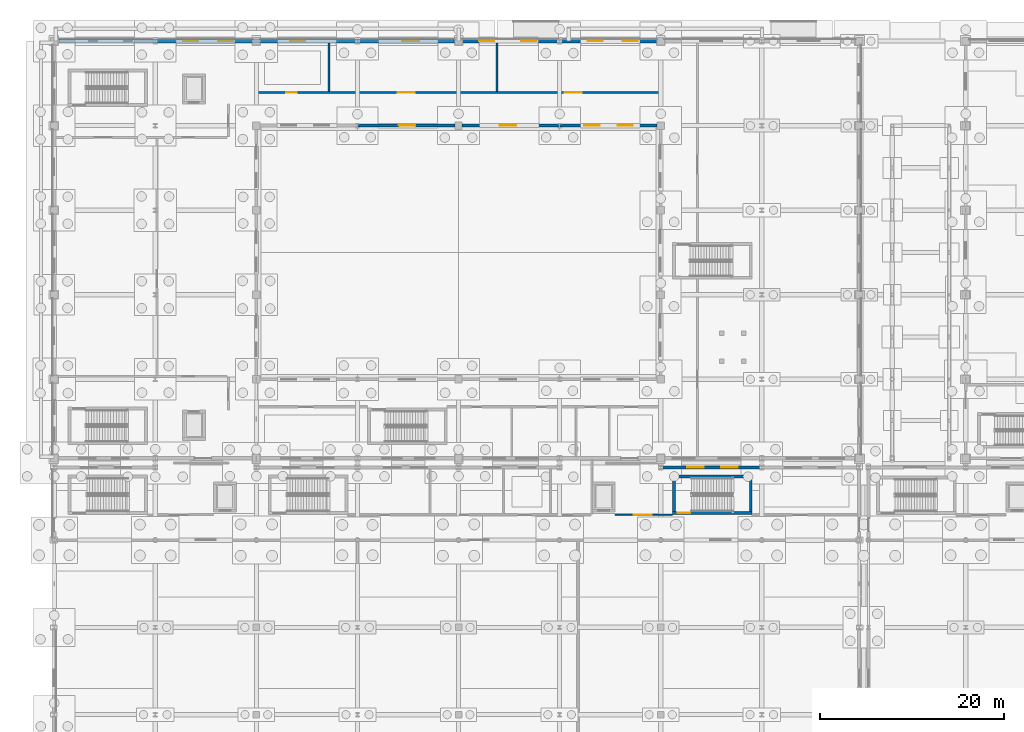
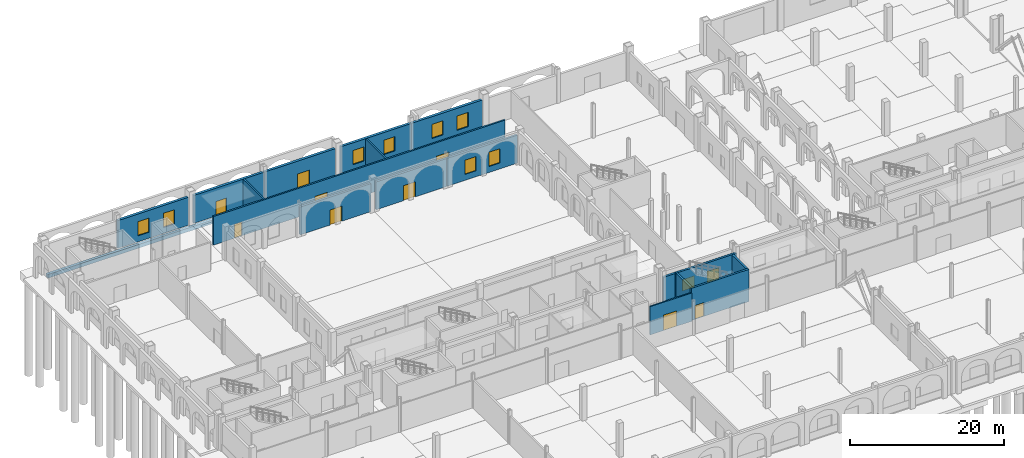
# One storey, part 57 of 83: 18 walls, 10 windows, 9 doors, 19 openings.
"""IFC4 building model written with IfcOpenShell, lengths in metres."""

from ifc_helpers import new_model, si_unit, direction, frame, frame_2d, origin, place, context, subcontext, project, spatial, rectangle, extrude, material, layer, layer_set, type_object, element, fill, save


model = new_model("IFC4")

# Units and contexts
model_context = context("Model", 3, precision=1e-05, world=origin(), true_north=direction((0.0, 1.0)))
body_context = subcontext(model_context, "Body", "Model", "MODEL_VIEW")
ifc_project = project(units=[si_unit("LENGTHUNIT", "METRE"), si_unit("AREAUNIT", "SQUARE_METRE"), si_unit("VOLUMEUNIT", "CUBIC_METRE"), si_unit("PLANEANGLEUNIT", "RADIAN"), si_unit("MASSUNIT", "GRAM", prefix="KILO")], contexts=[model_context])

# Site, building, storey
site_placement = place(None, origin())
site = spatial("IfcSite", under=ifc_project, at=site_placement, CompositionType="ELEMENT")
building_placement = place(site_placement, origin())
building = spatial("IfcBuilding", under=site, at=building_placement, Name="Caurita Quay Ferry Terminal", CompositionType="ELEMENT")
storey_placement = place(building_placement, origin())
storey = spatial("IfcBuildingStorey", under=building, at=storey_placement, Name="L00", CompositionType="ELEMENT", Elevation=0.0)

# Wall, openings, doors
ifc_material_1 = material(Name="Warm-white lime stucco masonry", Category="masonry")
ifc_layer_1 = layer(ifc_material_1, 0.239990234375, Name="Interior partitioning wall 240 mm")
ifc_layer_set_1 = layer_set([ifc_layer_1], Name="Warm-white lime stucco masonry")
wall_type_1 = type_object("IfcWallType", Name="WL-COMP-240", PredefinedType="PARTITIONING", material=ifc_layer_set_1)
wall_1_placement = place(storey_placement, frame((22.159912109375, 111.39990234375, 0.0), z_axis=(0.0, 0.0, 1.0), x_axis=(1.0, 0.0, 0.0)))
wall_1 = element("IfcWall", 1, at=wall_1_placement, inside=storey, type_object=wall_type_1, Name="L00 Interior Partition IW-L00-027", PredefinedType="PARTITIONING", context=body_context, shape_type="SweptSolid", body=[
    extrude(rectangle(XDim=43.68017578125, YDim=0.239990234375, at=frame_2d((21.840087890625, 0.0))), origin(), (0.0, 0.0, 1.0), 4.52490234375),
])
opening_1_placement = place(wall_1_placement, frame((3.10009765625, 0.0, 0.0)))
opening_1 = element("IfcOpeningElement", 2, at=opening_1_placement, cuts=wall_1, Name="Opening FD-02", PredefinedType="OPENING", context=body_context, shape_type="SweptSolid", body=[
    extrude(rectangle(XDim=1.14990234375, YDim=2.199951171875, at=frame_2d((0.574951171875, 1.10009765625))), frame((0.0, 0.1298828125, 0.0), z_axis=(0.0, -1.0, 0.0), x_axis=(1.0, 0.0, 0.0)), (0.0, 0.0, 1.0), 0.260009765625),
])
opening_2_placement = place(wall_1_placement, frame((15.199951171875, 0.0, 0.0)))
opening_2 = element("IfcOpeningElement", 3, at=opening_2_placement, cuts=wall_1, Name="Opening PD-01", PredefinedType="OPENING", context=body_context, shape_type="SweptSolid", body=[
    extrude(rectangle(XDim=1.85009765625, YDim=2.39990234375, at=frame_2d((0.925048828125, 1.199951171875))), frame((0.0, 0.1298828125, 0.0), z_axis=(0.0, -1.0, 0.0), x_axis=(1.0, 0.0, 0.0)), (0.0, 0.0, 1.0), 0.260009765625),
])
opening_3_placement = place(wall_1_placement, frame((33.39990234375, 0.0, 0.0)))
opening_3 = element("IfcOpeningElement", 4, at=opening_3_placement, cuts=wall_1, Name="Opening PD-01", PredefinedType="OPENING", context=body_context, shape_type="SweptSolid", body=[
    extrude(rectangle(XDim=1.85009765625, YDim=2.39990234375, at=frame_2d((0.925048828125, 1.199951171875))), frame((0.0, 0.1298828125, 0.0), z_axis=(0.0, -1.0, 0.0), x_axis=(1.0, 0.0, 0.0)), (0.0, 0.0, 1.0), 0.260009765625),
])
ifc_material_2 = material(Name="Anodized aluminium 6063-T6", Category="aluminium")
door_type_1 = type_object("IfcDoorType", Name="DR-FCR-1100", OperationType="NOTDEFINED", PredefinedType="DOOR", material=ifc_material_2)
door_1_placement = place(opening_1_placement, origin())
door_1 = element("IfcDoor", 5, at=door_1_placement, inside=storey, type_object=door_type_1, Name="Fire Command Room Corridor Door", OperationType="SINGLE_SWING_LEFT", OverallHeight=2.199951171875, OverallWidth=1.14990234375, PredefinedType="DOOR", context=body_context, shape_type="SweptSolid", body=[
    extrude(rectangle(XDim=1.14990234375, YDim=2.199951171875, at=frame_2d((0.574951171875, 1.10009765625))), frame((0.0, 0.02490234375, 0.0), z_axis=(0.0, -1.0, 0.0), x_axis=(1.0, 0.0, 0.0)), (0.0, 0.0, 1.0), 0.050048828125),
])
fill(opening_1, door_1)
door_type_2 = type_object("IfcDoorType", Name="DR-PL-1800", OperationType="NOTDEFINED", PredefinedType="DOOR", material=ifc_material_2)
door_2_placement = place(opening_2_placement, frame((1.85009765625, 0.0, 0.0), z_axis=(0.0, 0.0, 1.0), x_axis=(-1.0, 0.0, 0.0)))
door_2 = element("IfcDoor", 6, at=door_2_placement, inside=storey, type_object=door_type_2, Name="HV Switchgear Room Fire Door", OperationType="SINGLE_SWING_RIGHT", OverallHeight=2.39990234375, OverallWidth=1.85009765625, PredefinedType="DOOR", context=body_context, shape_type="SweptSolid", body=[
    extrude(rectangle(XDim=1.85009765625, YDim=2.39990234375, at=frame_2d((0.925048828125, 1.199951171875))), frame((0.0, 0.02490234375, 0.0), z_axis=(0.0, -1.0, 0.0), x_axis=(1.0, 0.0, 0.0)), (0.0, 0.0, 1.0), 0.050048828125),
])
fill(opening_2, door_2)
door_3_placement = place(opening_3_placement, origin())
door_3 = element("IfcDoor", 7, at=door_3_placement, inside=storey, type_object=door_type_2, Name="Standby Generator Room Fire Door", OperationType="SINGLE_SWING_LEFT", OverallHeight=2.39990234375, OverallWidth=1.85009765625, PredefinedType="DOOR", context=body_context, shape_type="SweptSolid", body=[
    extrude(rectangle(XDim=1.85009765625, YDim=2.39990234375, at=frame_2d((0.925048828125, 1.199951171875))), frame((0.0, 0.02490234375, 0.0), z_axis=(0.0, -1.0, 0.0), x_axis=(1.0, 0.0, 0.0)), (0.0, 0.0, 1.0), 0.050048828125),
])
fill(opening_3, door_3)

# Walls
for number, where, z_axis, x_axis, name in (
    (8, (29.89990234375, 111.52490234375, 0.0), (0.0, 0.0, 1.0), (0.0, 1.0, 0.0), "L00 Interior Partition IW-L00-028"),
    (9, (48.199951171875, 111.52490234375, 0.0), (0.0, 0.0, 1.0), (0.0, 1.0, 0.0), "L00 Interior Partition IW-L00-029"),
):
    element("IfcWall", number, at=place(storey_placement, frame(where, z_axis=z_axis, x_axis=x_axis)), inside=storey, type_object=wall_type_1, Name=name, PredefinedType="PARTITIONING", context=body_context, shape_type="SweptSolid", body=[
        extrude(rectangle(XDim=5.280029296875, YDim=0.239990234375, at=frame_2d((2.64013671875, 0.0))), origin(), (0.0, 0.0, 1.0), 4.425048828125),
    ])

# Wall, opening, door
ifc_material_3 = material(Name="Reinforced concrete C35/45", Category="concrete")
ifc_layer_2 = layer(ifc_material_3, 0.300048828125, Name="Interior shear wall 300 mm")
ifc_layer_set_2 = layer_set([ifc_layer_2], Name="Reinforced concrete C35/45")
wall_type_2 = type_object("IfcWallType", Name="WL-CORE-300", PredefinedType="SHEAR", material=ifc_layer_set_2)
wall_2_placement = place(storey_placement, frame((67.300048828125, 65.64990234375, 0.0), z_axis=(0.0, 0.0, 1.0), x_axis=(1.0, 0.0, 0.0)))
wall_2 = element("IfcWall", 10, at=wall_2_placement, inside=storey, type_object=wall_type_2, Name="L00 ST-07 Core Wall South", PredefinedType="SHEAR", context=body_context, shape_type="SweptSolid", body=[
    extrude(rectangle(XDim=8.64990234375, YDim=0.300048828125, at=frame_2d((4.324951171875, 0.0))), origin(), (0.0, 0.0, 1.0), 5.10009765625),
])
opening_4_placement = place(wall_2_placement, frame((0.550048828125, 0.0, 0.0)))
opening_4 = element("IfcOpeningElement", 11, at=opening_4_placement, cuts=wall_2, Name="Opening SD-01", PredefinedType="OPENING", context=body_context, shape_type="SweptSolid", body=[
    extrude(rectangle(XDim=1.35009765625, YDim=2.199951171875, at=frame_2d((0.675048828125, 1.10009765625))), frame((0.0, 0.159912109375, 0.0), z_axis=(0.0, -1.0, 0.0), x_axis=(1.0, 0.0, 0.0)), (0.0, 0.0, 1.0), 0.320068359375),
])
door_type_3 = type_object("IfcDoorType", Name="DR-ST-1200", OperationType="NOTDEFINED", PredefinedType="DOOR", material=ifc_material_2)
door_4_placement = place(opening_4_placement, frame((1.35009765625, 0.0, 0.0), z_axis=(0.0, 0.0, 1.0), x_axis=(-1.0, 0.0, 0.0)))
door_4 = element("IfcDoor", 12, at=door_4_placement, inside=storey, type_object=door_type_3, Name="L00 Exit Stair ST-07 Fire Door", OperationType="SINGLE_SWING_LEFT", OverallHeight=2.199951171875, OverallWidth=1.35009765625, PredefinedType="DOOR", context=body_context, shape_type="SweptSolid", body=[
    extrude(rectangle(XDim=1.35009765625, YDim=2.199951171875, at=frame_2d((0.675048828125, 1.10009765625))), frame((0.0, 0.02490234375, 0.0), z_axis=(0.0, -1.0, 0.0), x_axis=(1.0, 0.0, 0.0)), (0.0, 0.0, 1.0), 0.050048828125),
])
fill(opening_4, door_4)

# Walls
wall_3_placement = place(storey_placement, frame((75.949951171875, 69.610107421875, 0.0), z_axis=(0.0, 0.0, 1.0), x_axis=(-1.0, 0.0, 0.0)))
element("IfcWall", 13, at=wall_3_placement, inside=storey, type_object=wall_type_2, Name="L00 ST-07 Core Wall North", PredefinedType="SHEAR", context=body_context, shape_type="SweptSolid", body=[
    extrude(rectangle(XDim=8.64990234375, YDim=0.300048828125, at=frame_2d((4.324951171875, 0.0))), origin(), (0.0, 0.0, 1.0), 5.10009765625),
])
for number, where, z_axis, x_axis, name in (
    (14, (67.449951171875, 69.4599609375, 0.0), (0.0, 0.0, 1.0), (0.0, -1.0, 0.0), "L00 ST-07 Core Wall West"),
    (15, (75.800048828125, 65.800048828125, 0.0), (0.0, 0.0, 1.0), (0.0, 1.0, 0.0), "L00 ST-07 Core Wall East"),
):
    element("IfcWall", number, at=place(storey_placement, frame(where, z_axis=z_axis, x_axis=x_axis)), inside=storey, type_object=wall_type_2, Name=name, PredefinedType="SHEAR", context=body_context, shape_type="SweptSolid", body=[
        extrude(rectangle(XDim=3.659912109375, YDim=0.300048828125, at=frame_2d((1.830078125, 0.0))), origin(), (0.0, 0.0, 1.0), 5.10009765625),
    ])

# Wall, opening, door
ifc_layer_3 = layer(ifc_material_1, 0.199951171875, Name="Interior partitioning wall 200 mm")
ifc_layer_set_3 = layer_set([ifc_layer_3], Name="Warm-white lime stucco masonry")
wall_type_3 = type_object("IfcWallType", Name="WL-CORR-200", PredefinedType="PARTITIONING", material=ifc_layer_set_3)
wall_4_placement = place(storey_placement, frame((61.050048828125, 65.449951171875, 0.0), z_axis=(0.0, 0.0, 1.0), x_axis=(1.0, 0.0, 0.0)))
wall_4 = element("IfcWall", 16, at=wall_4_placement, inside=storey, type_object=wall_type_3, Name="L00 Interior Partition IW-L00-010", PredefinedType="PARTITIONING", context=body_context, shape_type="SweptSolid", body=[
    extrude(rectangle(XDim=6.239990234375, YDim=0.199951171875, at=frame_2d((3.1201171875, 0.0))), origin(), (0.0, 0.0, 1.0), 4.48291015625),
])
opening_5_placement = place(wall_4_placement, frame((2.0, 0.0, 0.0)))
opening_5 = element("IfcOpeningElement", 17, at=opening_5_placement, cuts=wall_4, Name="Opening ID-02", PredefinedType="OPENING", context=body_context, shape_type="SweptSolid", body=[
    extrude(rectangle(XDim=1.949951171875, YDim=2.449951171875, at=frame_2d((0.97509765625, 1.22509765625))), frame((0.0, 0.10986328125, 0.0), z_axis=(0.0, -1.0, 0.0), x_axis=(1.0, 0.0, 0.0)), (0.0, 0.0, 1.0), 0.219970703125),
])
door_type_4 = type_object("IfcDoorType", Name="DR-HALL-1950", OperationType="NOTDEFINED", PredefinedType="DOOR", material=ifc_material_2)
door_5_placement = place(opening_5_placement, origin())
door_5 = element("IfcDoor", 18, at=door_5_placement, inside=storey, type_object=door_type_4, Name="L00 East Lift Lobby Door", OperationType="SINGLE_SWING_LEFT", OverallHeight=2.449951171875, OverallWidth=1.949951171875, PredefinedType="DOOR", context=body_context, shape_type="SweptSolid", body=[
    extrude(rectangle(XDim=1.949951171875, YDim=2.449951171875, at=frame_2d((0.97509765625, 1.22509765625))), frame((0.0, 0.02490234375, 0.0), z_axis=(0.0, -1.0, 0.0), x_axis=(1.0, 0.0, 0.0)), (0.0, 0.0, 1.0), 0.050048828125),
])
fill(opening_5, door_5)

ifc_layer_4 = layer(ifc_material_1, 0.31005859375, Name="Exterior solidwall wall 310 mm")
ifc_layer_set_4 = layer_set([ifc_layer_4], Name="Warm-white lime stucco masonry")
wall_type_4 = type_object("IfcWallType", Name="WL-EXT-310", PredefinedType="SOLIDWALL", material=ifc_layer_set_4)
wall_5_placement = place(storey_placement, frame((33.015869140625, 107.800048828125, 0.0), z_axis=(0.0, 0.0, 1.0), x_axis=(1.0, 0.0, 0.0)))
wall_5 = element("IfcWall", 19, at=wall_5_placement, inside=storey, type_object=wall_type_4, Name="L00 Exterior Wall EW-L00-111", PredefinedType="SOLIDWALL", context=body_context, shape_type="SweptSolid", body=[
    extrude(rectangle(XDim=10.586181640625, YDim=0.31005859375, at=frame_2d((5.29296875, 0.0))), origin(), (0.0, 0.0, 1.0), 4.425048828125),
])
opening_6_placement = place(wall_5_placement, frame((4.484130859375, 0.0, 0.0)))
opening_6 = element("IfcOpeningElement", 20, at=opening_6_placement, cuts=wall_5, Name="Opening ED-03", PredefinedType="OPENING", context=body_context, shape_type="SweptSolid", body=[
    extrude(rectangle(XDim=1.800048828125, YDim=2.39990234375, at=frame_2d((0.89990234375, 1.199951171875))), frame((0.0, 0.1650390625, 0.0), z_axis=(0.0, -1.0, 0.0), x_axis=(1.0, 0.0, 0.0)), (0.0, 0.0, 1.0), 0.330078125),
])
door_type_5 = type_object("IfcDoorType", Name="DR-EXT-1824", OperationType="NOTDEFINED", PredefinedType="DOOR", material=ifc_material_2)
door_6_placement = place(opening_6_placement, frame((1.800048828125, 0.0, 0.0), z_axis=(0.0, 0.0, 1.0), x_axis=(-1.0, 0.0, 0.0)))
door_6 = element("IfcDoor", 21, at=door_6_placement, inside=storey, type_object=door_type_5, Name="Courtyard Patio Door 3", OperationType="SINGLE_SWING_LEFT", OverallHeight=2.39990234375, OverallWidth=1.800048828125, PredefinedType="DOOR", context=body_context, shape_type="SweptSolid", body=[
    extrude(rectangle(XDim=1.800048828125, YDim=2.39990234375, at=frame_2d((0.89990234375, 1.199951171875))), frame((0.0, 0.02490234375, 0.0), z_axis=(0.0, -1.0, 0.0), x_axis=(1.0, 0.0, 0.0)), (0.0, 0.0, 1.0), 0.050048828125),
])
fill(opening_6, door_6)

wall_6_placement = place(storey_placement, frame((44.39794921875, 107.800048828125, 0.0), z_axis=(0.0, 0.0, 1.0), x_axis=(1.0, 0.0, 0.0)))
wall_6 = element("IfcWall", 22, at=wall_6_placement, inside=storey, type_object=wall_type_4, Name="L00 Exterior Wall EW-L00-112", PredefinedType="SOLIDWALL", context=body_context, shape_type="SweptSolid", body=[
    extrude(rectangle(XDim=10.586181640625, YDim=0.31005859375, at=frame_2d((5.29296875, 0.0))), origin(), (0.0, 0.0, 1.0), 4.425048828125),
])
opening_7_placement = place(wall_6_placement, frame((4.10205078125, 0.0, 0.0)))
opening_7 = element("IfcOpeningElement", 23, at=opening_7_placement, cuts=wall_6, Name="Opening ED-03", PredefinedType="OPENING", context=body_context, shape_type="SweptSolid", body=[
    extrude(rectangle(XDim=1.800048828125, YDim=2.39990234375, at=frame_2d((0.89990234375, 1.199951171875))), frame((0.0, 0.1650390625, 0.0), z_axis=(0.0, -1.0, 0.0), x_axis=(1.0, 0.0, 0.0)), (0.0, 0.0, 1.0), 0.330078125),
])
door_7_placement = place(opening_7_placement, frame((1.800048828125, 0.0, 0.0), z_axis=(0.0, 0.0, 1.0), x_axis=(-1.0, 0.0, 0.0)))
door_7 = element("IfcDoor", 24, at=door_7_placement, inside=storey, type_object=door_type_5, Name="Courtyard Patio Door 4", OperationType="SINGLE_SWING_RIGHT", OverallHeight=2.39990234375, OverallWidth=1.800048828125, PredefinedType="DOOR", context=body_context, shape_type="SweptSolid", body=[
    extrude(rectangle(XDim=1.800048828125, YDim=2.39990234375, at=frame_2d((0.89990234375, 1.199951171875))), frame((0.0, 0.02490234375, 0.0), z_axis=(0.0, -1.0, 0.0), x_axis=(1.0, 0.0, 0.0)), (0.0, 0.0, 1.0), 0.050048828125),
])
fill(opening_7, door_7)

# Wall, openings, windows
wall_7_placement = place(storey_placement, frame((55.015869140625, 107.800048828125, 0.0), z_axis=(0.0, 0.0, 1.0), x_axis=(1.0, 0.0, 0.0)))
wall_7 = element("IfcWall", 25, at=wall_7_placement, inside=storey, type_object=wall_type_4, Name="L00 Exterior Wall EW-L00-113", PredefinedType="SOLIDWALL", context=body_context, shape_type="SweptSolid", body=[
    extrude(rectangle(XDim=10.586181640625, YDim=0.31005859375, at=frame_2d((5.29296875, 0.0))), origin(), (0.0, 0.0, 1.0), 4.425048828125),
])
opening_8_placement = place(wall_7_placement, frame((2.68408203125, 0.0, 0.949951171875)))
opening_8 = element("IfcOpeningElement", 26, at=opening_8_placement, cuts=wall_7, Name="Opening W-08", PredefinedType="OPENING", context=body_context, shape_type="SweptSolid", body=[
    extrude(rectangle(XDim=1.64990234375, YDim=2.25, at=frame_2d((0.824951171875, 1.125))), frame((0.0, 0.1650390625, 0.0), z_axis=(0.0, -1.0, 0.0), x_axis=(1.0, 0.0, 0.0)), (0.0, 0.0, 1.0), 0.330078125),
])
opening_9_placement = place(wall_7_placement, frame((6.2841796875, 0.0, 0.949951171875)))
opening_9 = element("IfcOpeningElement", 27, at=opening_9_placement, cuts=wall_7, Name="Opening W-08", PredefinedType="OPENING", context=body_context, shape_type="SweptSolid", body=[
    extrude(rectangle(XDim=1.64990234375, YDim=2.25, at=frame_2d((0.824951171875, 1.125))), frame((0.0, 0.1650390625, 0.0), z_axis=(0.0, -1.0, 0.0), x_axis=(1.0, 0.0, 0.0)), (0.0, 0.0, 1.0), 0.330078125),
])
ifc_material_4 = material(Name="Laminated solar-control insulated glass", Category="glass")
window_type_1 = type_object("IfcWindowType", Name="WIN-SC-16522", PartitioningType="SINGLE_PANEL", PredefinedType="WINDOW", material=ifc_material_4)
window_1_placement = place(opening_8_placement, origin())
window_1 = element("IfcWindow", 28, at=window_1_placement, inside=storey, type_object=window_type_1, Name="L00 Casement Window WN-L00-165", OverallHeight=2.25, OverallWidth=1.64990234375, PartitioningType="SINGLE_PANEL", PredefinedType="WINDOW", context=body_context, shape_type="SweptSolid", body=[
    extrude(rectangle(XDim=1.64990234375, YDim=2.25, at=frame_2d((0.824951171875, 1.125))), frame((0.0, 0.030029296875, 0.0), z_axis=(0.0, -1.0, 0.0), x_axis=(1.0, 0.0, 0.0)), (0.0, 0.0, 1.0), 0.06005859375),
])
fill(opening_8, window_1)
window_2_placement = place(opening_9_placement, origin())
window_2 = element("IfcWindow", 29, at=window_2_placement, inside=storey, type_object=window_type_1, Name="L00 Casement Window WN-L00-166", OverallHeight=2.25, OverallWidth=1.64990234375, PartitioningType="SINGLE_PANEL", PredefinedType="WINDOW", context=body_context, shape_type="SweptSolid", body=[
    extrude(rectangle(XDim=1.64990234375, YDim=2.25, at=frame_2d((0.824951171875, 1.125))), frame((0.0, 0.030029296875, 0.0), z_axis=(0.0, -1.0, 0.0), x_axis=(1.0, 0.0, 0.0)), (0.0, 0.0, 1.0), 0.06005859375),
])
fill(opening_9, window_2)

wall_8_placement = place(storey_placement, frame((76.99072265625, 70.60009765625, 0.0), z_axis=(0.0, 0.0, 1.0), x_axis=(-1.0, 0.0, 0.0)))
wall_8 = element("IfcWall", 30, at=wall_8_placement, inside=storey, type_object=wall_type_4, Name="L00 Exterior Wall EW-L00-174", PredefinedType="SOLIDWALL", context=body_context, shape_type="SweptSolid", body=[
    extrude(rectangle(XDim=10.9814453125, YDim=0.31005859375, at=frame_2d((5.49072265625, 0.0))), origin(), (0.0, 0.0, 1.0), 4.315185546875),
])
opening_10_placement = place(wall_8_placement, frame((2.5908203125, 0.0, 1.050048828125)))
opening_10 = element("IfcOpeningElement", 31, at=opening_10_placement, cuts=wall_8, Name="Opening W-09", PredefinedType="OPENING", context=body_context, shape_type="SweptSolid", body=[
    extrude(rectangle(XDim=1.800048828125, YDim=1.800048828125, at=frame_2d((0.89990234375, 0.89990234375))), frame((0.0, 0.1650390625, 0.0), z_axis=(0.0, -1.0, 0.0), x_axis=(1.0, 0.0, 0.0)), (0.0, 0.0, 1.0), 0.330078125),
])
opening_11_placement = place(wall_8_placement, frame((6.290771484375, 0.0, 1.050048828125)))
opening_11 = element("IfcOpeningElement", 32, at=opening_11_placement, cuts=wall_8, Name="Opening W-09", PredefinedType="OPENING", context=body_context, shape_type="SweptSolid", body=[
    extrude(rectangle(XDim=1.800048828125, YDim=1.800048828125, at=frame_2d((0.89990234375, 0.89990234375))), frame((0.0, 0.1650390625, 0.0), z_axis=(0.0, -1.0, 0.0), x_axis=(1.0, 0.0, 0.0)), (0.0, 0.0, 1.0), 0.330078125),
])
window_type_2 = type_object("IfcWindowType", Name="WIN-SC-1818", PartitioningType="SINGLE_PANEL", PredefinedType="WINDOW", material=ifc_material_4)
window_3_placement = place(opening_10_placement, origin())
window_3 = element("IfcWindow", 33, at=window_3_placement, inside=storey, type_object=window_type_2, Name="L00 Casement Window WN-L00-259", OverallHeight=1.800048828125, OverallWidth=1.800048828125, PartitioningType="SINGLE_PANEL", PredefinedType="WINDOW", context=body_context, shape_type="SweptSolid", body=[
    extrude(rectangle(XDim=1.800048828125, YDim=1.800048828125, at=frame_2d((0.89990234375, 0.89990234375))), frame((0.0, 0.030029296875, 0.0), z_axis=(0.0, -1.0, 0.0), x_axis=(1.0, 0.0, 0.0)), (0.0, 0.0, 1.0), 0.06005859375),
])
fill(opening_10, window_3)
window_4_placement = place(opening_11_placement, origin())
window_4 = element("IfcWindow", 34, at=window_4_placement, inside=storey, type_object=window_type_2, Name="L00 Casement Window WN-L00-260", OverallHeight=1.800048828125, OverallWidth=1.800048828125, PartitioningType="SINGLE_PANEL", PredefinedType="WINDOW", context=body_context, shape_type="SweptSolid", body=[
    extrude(rectangle(XDim=1.800048828125, YDim=1.800048828125, at=frame_2d((0.89990234375, 0.89990234375))), frame((0.0, 0.030029296875, 0.0), z_axis=(0.0, -1.0, 0.0), x_axis=(1.0, 0.0, 0.0)), (0.0, 0.0, 1.0), 0.06005859375),
])
fill(opening_11, window_4)

ifc_material_5 = material(Name="Coral stone ashlar cladding", Category="masonry")
ifc_layer_5 = layer(ifc_material_5, 0.3798828125, Name="Exterior solidwall wall 380 mm")
ifc_layer_set_5 = layer_set([ifc_layer_5], Name="Coral stone ashlar cladding")
wall_type_5 = type_object("IfcWallType", Name="WL-EXT-380", PredefinedType="SOLIDWALL", material=ifc_layer_set_5)
wall_9_placement = place(storey_placement, frame((21.60205078125, 117.0, 0.0), z_axis=(0.0, 0.0, 1.0), x_axis=(-1.0, 0.0, 0.0)))
wall_9 = element("IfcWall", 35, at=wall_9_placement, inside=storey, type_object=wall_type_5, Name="L00 Exterior Wall EW-L00-002", PredefinedType="SOLIDWALL", context=body_context, shape_type="SweptSolid", body=[
    extrude(rectangle(XDim=10.586181640625, YDim=0.3798828125, at=frame_2d((5.29296875, 0.0))), origin(), (0.0, 0.0, 1.0), 4.425048828125),
])
opening_12_placement = place(wall_9_placement, frame((2.10205078125, 0.0, 0.949951171875)))
opening_12 = element("IfcOpeningElement", 36, at=opening_12_placement, cuts=wall_9, Name="Opening W-08", PredefinedType="OPENING", context=body_context, shape_type="SweptSolid", body=[
    extrude(rectangle(XDim=1.64990234375, YDim=2.25, at=frame_2d((0.824951171875, 1.125))), frame((0.0, 0.199951171875, 0.0), z_axis=(0.0, -1.0, 0.0), x_axis=(1.0, 0.0, 0.0)), (0.0, 0.0, 1.0), 0.39990234375),
])
opening_13_placement = place(wall_9_placement, frame((5.902099609375, 0.0, 0.949951171875)))
opening_13 = element("IfcOpeningElement", 37, at=opening_13_placement, cuts=wall_9, Name="Opening W-08", PredefinedType="OPENING", context=body_context, shape_type="SweptSolid", body=[
    extrude(rectangle(XDim=1.64990234375, YDim=2.25, at=frame_2d((0.824951171875, 1.125))), frame((0.0, 0.199951171875, 0.0), z_axis=(0.0, -1.0, 0.0), x_axis=(1.0, 0.0, 0.0)), (0.0, 0.0, 1.0), 0.39990234375),
])
window_5_placement = place(opening_12_placement, origin())
window_5 = element("IfcWindow", 38, at=window_5_placement, inside=storey, type_object=window_type_1, Name="L00 Casement Window WN-L00-003", OverallHeight=2.25, OverallWidth=1.64990234375, PartitioningType="SINGLE_PANEL", PredefinedType="WINDOW", context=body_context, shape_type="SweptSolid", body=[
    extrude(rectangle(XDim=1.64990234375, YDim=2.25, at=frame_2d((0.824951171875, 1.125))), frame((0.0, 0.030029296875, 0.0), z_axis=(0.0, -1.0, 0.0), x_axis=(1.0, 0.0, 0.0)), (0.0, 0.0, 1.0), 0.06005859375),
])
fill(opening_12, window_5)
window_6_placement = place(opening_13_placement, origin())
window_6 = element("IfcWindow", 39, at=window_6_placement, inside=storey, type_object=window_type_1, Name="L00 Casement Window WN-L00-004", OverallHeight=2.25, OverallWidth=1.64990234375, PartitioningType="SINGLE_PANEL", PredefinedType="WINDOW", context=body_context, shape_type="SweptSolid", body=[
    extrude(rectangle(XDim=1.64990234375, YDim=2.25, at=frame_2d((0.824951171875, 1.125))), frame((0.0, 0.030029296875, 0.0), z_axis=(0.0, -1.0, 0.0), x_axis=(1.0, 0.0, 0.0)), (0.0, 0.0, 1.0), 0.06005859375),
])
fill(opening_13, window_6)

# Wall, opening, door
wall_10_placement = place(storey_placement, frame((32.984130859375, 117.0, 0.0), z_axis=(0.0, 0.0, 1.0), x_axis=(-1.0, 0.0, 0.0)))
wall_10 = element("IfcWall", 40, at=wall_10_placement, inside=storey, type_object=wall_type_5, Name="L00 Exterior Wall EW-L00-003", PredefinedType="SOLIDWALL", context=body_context, shape_type="SweptSolid", body=[
    extrude(rectangle(XDim=10.586181640625, YDim=0.3798828125, at=frame_2d((5.29296875, 0.0))), origin(), (0.0, 0.0, 1.0), 4.425048828125),
])
opening_14_placement = place(wall_10_placement, frame((5.68408203125, 0.0, 0.0)))
opening_14 = element("IfcOpeningElement", 41, at=opening_14_placement, cuts=wall_10, Name="Opening ED-04", PredefinedType="OPENING", context=body_context, shape_type="SweptSolid", body=[
    extrude(rectangle(XDim=1.60009765625, YDim=2.300048828125, at=frame_2d((0.800048828125, 1.14990234375))), frame((0.0, 0.199951171875, 0.0), z_axis=(0.0, -1.0, 0.0), x_axis=(1.0, 0.0, 0.0)), (0.0, 0.0, 1.0), 0.39990234375),
])
ifc_material_6 = material(Name="Tropical mahogany hardwood", Category="wood")
door_type_6 = type_object("IfcDoorType", Name="DR-EXT-1623", OperationType="NOTDEFINED", PredefinedType="DOOR", material=ifc_material_6)
door_8_placement = place(opening_14_placement, frame((1.60009765625, 0.0, 0.0), z_axis=(0.0, 0.0, 1.0), x_axis=(-1.0, 0.0, 0.0)))
door_8 = element("IfcDoor", 42, at=door_8_placement, inside=storey, type_object=door_type_6, Name="Fire Command Room Street Entrance ED-FCR", OperationType="SINGLE_SWING_LEFT", OverallHeight=2.300048828125, OverallWidth=1.60009765625, PredefinedType="DOOR", context=body_context, shape_type="SweptSolid", body=[
    extrude(rectangle(XDim=1.60009765625, YDim=2.300048828125, at=frame_2d((0.800048828125, 1.14990234375))), frame((0.0, 0.02490234375, 0.0), z_axis=(0.0, -1.0, 0.0), x_axis=(1.0, 0.0, 0.0)), (0.0, 0.0, 1.0), 0.050048828125),
])
fill(opening_14, door_8)

wall_11_placement = place(storey_placement, frame((43.60205078125, 117.0, 0.0), z_axis=(0.0, 0.0, 1.0), x_axis=(-1.0, 0.0, 0.0)))
wall_11 = element("IfcWall", 43, at=wall_11_placement, inside=storey, type_object=wall_type_5, Name="L00 Exterior Wall EW-L00-004", PredefinedType="SOLIDWALL", context=body_context, shape_type="SweptSolid", body=[
    extrude(rectangle(XDim=10.586181640625, YDim=0.3798828125, at=frame_2d((5.29296875, 0.0))), origin(), (0.0, 0.0, 1.0), 4.425048828125),
])
opening_15_placement = place(wall_11_placement, frame((3.902099609375, 0.0, 0.0)))
opening_15 = element("IfcOpeningElement", 44, at=opening_15_placement, cuts=wall_11, Name="Opening ED-03", PredefinedType="OPENING", context=body_context, shape_type="SweptSolid", body=[
    extrude(rectangle(XDim=1.800048828125, YDim=2.39990234375, at=frame_2d((0.89990234375, 1.199951171875))), frame((0.0, 0.199951171875, 0.0), z_axis=(0.0, -1.0, 0.0), x_axis=(1.0, 0.0, 0.0)), (0.0, 0.0, 1.0), 0.39990234375),
])
door_9_placement = place(opening_15_placement, frame((1.800048828125, 0.0, 0.0), z_axis=(0.0, 0.0, 1.0), x_axis=(-1.0, 0.0, 0.0)))
door_9 = element("IfcDoor", 45, at=door_9_placement, inside=storey, type_object=door_type_5, Name="North Street Exit Door ED-N3", OperationType="SINGLE_SWING_RIGHT", OverallHeight=2.39990234375, OverallWidth=1.800048828125, PredefinedType="DOOR", context=body_context, shape_type="SweptSolid", body=[
    extrude(rectangle(XDim=1.800048828125, YDim=2.39990234375, at=frame_2d((0.89990234375, 1.199951171875))), frame((0.0, 0.02490234375, 0.0), z_axis=(0.0, -1.0, 0.0), x_axis=(1.0, 0.0, 0.0)), (0.0, 0.0, 1.0), 0.050048828125),
])
fill(opening_15, door_9)

# Wall, openings, windows
wall_12_placement = place(storey_placement, frame((54.984130859375, 117.0, 0.0), z_axis=(0.0, 0.0, 1.0), x_axis=(-1.0, 0.0, 0.0)))
wall_12 = element("IfcWall", 46, at=wall_12_placement, inside=storey, type_object=wall_type_5, Name="L00 Exterior Wall EW-L00-005", PredefinedType="SOLIDWALL", context=body_context, shape_type="SweptSolid", body=[
    extrude(rectangle(XDim=10.586181640625, YDim=0.3798828125, at=frame_2d((5.29296875, 0.0))), origin(), (0.0, 0.0, 1.0), 4.425048828125),
])
opening_16_placement = place(wall_12_placement, frame((2.484130859375, 0.0, 0.949951171875)))
opening_16 = element("IfcOpeningElement", 47, at=opening_16_placement, cuts=wall_12, Name="Opening W-08", PredefinedType="OPENING", context=body_context, shape_type="SweptSolid", body=[
    extrude(rectangle(XDim=1.64990234375, YDim=2.25, at=frame_2d((0.824951171875, 1.125))), frame((0.0, 0.199951171875, 0.0), z_axis=(0.0, -1.0, 0.0), x_axis=(1.0, 0.0, 0.0)), (0.0, 0.0, 1.0), 0.39990234375),
])
opening_17_placement = place(wall_12_placement, frame((7.10400390625, 0.0, 0.949951171875)))
opening_17 = element("IfcOpeningElement", 48, at=opening_17_placement, cuts=wall_12, Name="Opening W-08", PredefinedType="OPENING", context=body_context, shape_type="SweptSolid", body=[
    extrude(rectangle(XDim=1.64990234375, YDim=2.25, at=frame_2d((0.824951171875, 1.125))), frame((0.0, 0.199951171875, 0.0), z_axis=(0.0, -1.0, 0.0), x_axis=(1.0, 0.0, 0.0)), (0.0, 0.0, 1.0), 0.39990234375),
])
window_7_placement = place(opening_16_placement, origin())
window_7 = element("IfcWindow", 49, at=window_7_placement, inside=storey, type_object=window_type_1, Name="L00 Casement Window WN-L00-005", OverallHeight=2.25, OverallWidth=1.64990234375, PartitioningType="SINGLE_PANEL", PredefinedType="WINDOW", context=body_context, shape_type="SweptSolid", body=[
    extrude(rectangle(XDim=1.64990234375, YDim=2.25, at=frame_2d((0.824951171875, 1.125))), frame((0.0, 0.030029296875, 0.0), z_axis=(0.0, -1.0, 0.0), x_axis=(1.0, 0.0, 0.0)), (0.0, 0.0, 1.0), 0.06005859375),
])
fill(opening_16, window_7)
window_8_placement = place(opening_17_placement, origin())
window_8 = element("IfcWindow", 50, at=window_8_placement, inside=storey, type_object=window_type_1, Name="L00 Casement Window WN-L00-006", OverallHeight=2.25, OverallWidth=1.64990234375, PartitioningType="SINGLE_PANEL", PredefinedType="WINDOW", context=body_context, shape_type="SweptSolid", body=[
    extrude(rectangle(XDim=1.64990234375, YDim=2.25, at=frame_2d((0.824951171875, 1.125))), frame((0.0, 0.030029296875, 0.0), z_axis=(0.0, -1.0, 0.0), x_axis=(1.0, 0.0, 0.0)), (0.0, 0.0, 1.0), 0.06005859375),
])
fill(opening_17, window_8)

wall_13_placement = place(storey_placement, frame((65.60205078125, 117.0, 0.0), z_axis=(0.0, 0.0, 1.0), x_axis=(-1.0, 0.0, 0.0)))
wall_13 = element("IfcWall", 51, at=wall_13_placement, inside=storey, type_object=wall_type_5, Name="L00 Exterior Wall EW-L00-006", PredefinedType="SOLIDWALL", context=body_context, shape_type="SweptSolid", body=[
    extrude(rectangle(XDim=10.586181640625, YDim=0.3798828125, at=frame_2d((5.29296875, 0.0))), origin(), (0.0, 0.0, 1.0), 4.425048828125),
])
opening_18_placement = place(wall_13_placement, frame((2.10205078125, 0.0, 0.949951171875)))
opening_18 = element("IfcOpeningElement", 52, at=opening_18_placement, cuts=wall_13, Name="Opening W-08", PredefinedType="OPENING", context=body_context, shape_type="SweptSolid", body=[
    extrude(rectangle(XDim=1.64990234375, YDim=2.25, at=frame_2d((0.824951171875, 1.125))), frame((0.0, 0.199951171875, 0.0), z_axis=(0.0, -1.0, 0.0), x_axis=(1.0, 0.0, 0.0)), (0.0, 0.0, 1.0), 0.39990234375),
])
opening_19_placement = place(wall_13_placement, frame((5.902099609375, 0.0, 0.949951171875)))
opening_19 = element("IfcOpeningElement", 53, at=opening_19_placement, cuts=wall_13, Name="Opening W-08", PredefinedType="OPENING", context=body_context, shape_type="SweptSolid", body=[
    extrude(rectangle(XDim=1.64990234375, YDim=2.25, at=frame_2d((0.824951171875, 1.125))), frame((0.0, 0.199951171875, 0.0), z_axis=(0.0, -1.0, 0.0), x_axis=(1.0, 0.0, 0.0)), (0.0, 0.0, 1.0), 0.39990234375),
])
window_9_placement = place(opening_18_placement, origin())
window_9 = element("IfcWindow", 54, at=window_9_placement, inside=storey, type_object=window_type_1, Name="L00 Casement Window WN-L00-007", OverallHeight=2.25, OverallWidth=1.64990234375, PartitioningType="SINGLE_PANEL", PredefinedType="WINDOW", context=body_context, shape_type="SweptSolid", body=[
    extrude(rectangle(XDim=1.64990234375, YDim=2.25, at=frame_2d((0.824951171875, 1.125))), frame((0.0, 0.030029296875, 0.0), z_axis=(0.0, -1.0, 0.0), x_axis=(1.0, 0.0, 0.0)), (0.0, 0.0, 1.0), 0.06005859375),
])
fill(opening_18, window_9)
window_10_placement = place(opening_19_placement, origin())
window_10 = element("IfcWindow", 55, at=window_10_placement, inside=storey, type_object=window_type_1, Name="L00 Casement Window WN-L00-008", OverallHeight=2.25, OverallWidth=1.64990234375, PartitioningType="SINGLE_PANEL", PredefinedType="WINDOW", context=body_context, shape_type="SweptSolid", body=[
    extrude(rectangle(XDim=1.64990234375, YDim=2.25, at=frame_2d((0.824951171875, 1.125))), frame((0.0, 0.030029296875, 0.0), z_axis=(0.0, -1.0, 0.0), x_axis=(1.0, 0.0, 0.0)), (0.0, 0.0, 1.0), 0.06005859375),
])
fill(opening_19, window_10)

# Wall
ifc_material_7 = material(Name="Marine reinforced concrete C40/50", Category="concrete")
ifc_layer_6 = layer(ifc_material_7, 0.419921875, Name="Exterior userdefined wall 420 mm")
ifc_layer_set_6 = layer_set([ifc_layer_6], Name="Marine reinforced concrete C40/50")
wall_type_6 = type_object("IfcWallType", Name="WL-RET-420", PredefinedType="USERDEFINED", material=ifc_layer_set_6)
wall_14_placement = place(storey_placement, frame((0.5, 117.0, -1.0), z_axis=(0.0, 0.0, 1.0), x_axis=(1.0, 0.0, 0.0)))
element("IfcWall", 56, at=wall_14_placement, inside=storey, type_object=wall_type_6, Name="Quay Perimeter Retaining Seawall 06", ObjectType="RETAINING WALL", PredefinedType="USERDEFINED", context=body_context, shape_type="SweptSolid", body=[
    extrude(rectangle(XDim=43.0, YDim=0.419921875, at=frame_2d((21.5, 0.0))), origin(), (0.0, 0.0, 1.0), 0.580078125),
])

save(model, "model.ifc")
